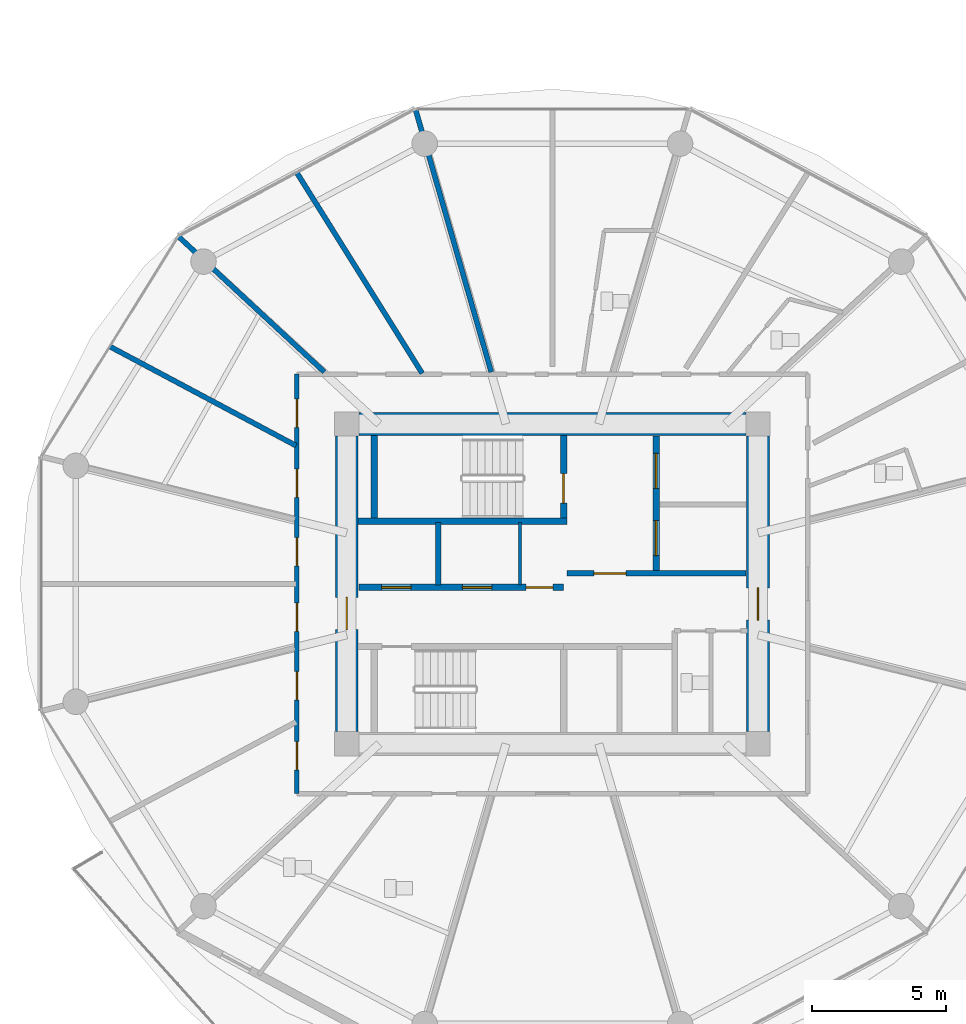
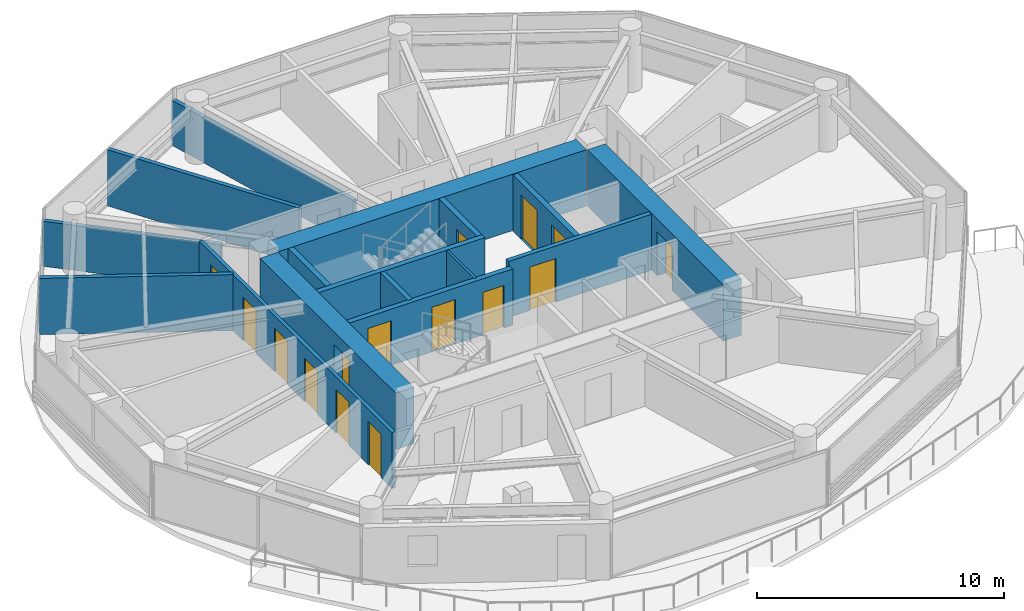
# One storey, part 16 of 27: 16 walls, 15 doors, 15 openings.
"""IFC4 building model written with IfcOpenShell, lengths in metres."""

from ifc_helpers import new_model, si_unit, direction, frame, frame_2d, origin, place, context, subcontext, project, spatial, rectangle, extrude, source, transform, mapped, material, layer, layer_set, type_object, type_shapes, element, fill, save


model = new_model("IFC4")

# Units and contexts
model_context = context("Model", 3, precision=1e-05, world=origin(), true_north=direction((0.0, 1.0)))
body_context = subcontext(model_context, "Body", "Model", "MODEL_VIEW")
ifc_project = project(units=[si_unit("LENGTHUNIT", "METRE"), si_unit("AREAUNIT", "SQUARE_METRE"), si_unit("VOLUMEUNIT", "CUBIC_METRE"), si_unit("PLANEANGLEUNIT", "RADIAN"), si_unit("MASSUNIT", "GRAM", prefix="KILO")], contexts=[model_context])

# Site, building, storey
site_placement = place(None, origin())
site = spatial("IfcSite", under=ifc_project, at=site_placement, CompositionType="ELEMENT")
building_placement = place(site_placement, origin())
building = spatial("IfcBuilding", under=site, at=building_placement, Name="Norrkilde Senior Care Towers", CompositionType="ELEMENT")
storey_placement = place(building_placement, frame((0.0, 0.0, 52.10009765625)))
storey = spatial("IfcBuildingStorey", under=building, at=storey_placement, Name="L15", CompositionType="ELEMENT", Elevation=52.10009765625)

# Wall
ifc_material_1 = material(Name="Concrete C60/75", Category="concrete")
ifc_layer_1 = layer(ifc_material_1, 0.85009765625)
ifc_layer_set_1 = layer_set([ifc_layer_1], Name="Concrete C60/75")
wall_type_1 = type_object("IfcWallType", Name="Core Shear Wall Z1 850", PredefinedType="SHEAR", material=ifc_layer_set_1)
shared_shape_1 = source(origin(), body_context, "Body", "SweptSolid", [
    extrude(rectangle(XDim=14.39990234375, YDim=0.85009765625, at=frame_2d((7.199951171875, 0.0))), origin(), (0.0, 0.0, 1.0), 2.789794921875),
])
wall_1_placement = place(storey_placement, frame((-35.199951171875, 5.949951171875, 0.0), z_axis=(0.0, 0.0, 1.0), x_axis=(1.0, 0.0, 0.0)))
element("IfcWall", 1, at=wall_1_placement, inside=storey, type_object=wall_type_1, Name="L15 Core W North Shear Wall", PredefinedType="SHEAR", context=body_context, shape_type="MappedRepresentation", body=[
    mapped(shared_shape_1, transform((0.0, 0.0, 0.0), x_axis=(1.0, 0.0, 0.0), y_axis=(0.0, 1.0, 0.0), z_axis=(0.0, 0.0, 1.0), scale=1.0)),
])

# Wall, opening, door
shared_shape_2 = source(origin(), body_context, "Body", "SweptSolid", [
    extrude(rectangle(XDim=11.0, YDim=0.85009765625, at=frame_2d((5.5, 0.0))), origin(), (0.0, 0.0, 1.0), 2.789794921875),
])
type_shapes(wall_type_1, [shared_shape_1, shared_shape_2])
wall_2_placement = place(storey_placement, frame((-35.64990234375, -5.5, 0.0), z_axis=(0.0, 0.0, 1.0), x_axis=(0.0, 1.0, 0.0)))
wall_2 = element("IfcWall", 2, at=wall_2_placement, inside=storey, type_object=wall_type_1, Name="L15 Core W West Shear Wall", PredefinedType="SHEAR", context=body_context, shape_type="MappedRepresentation", body=[
    mapped(shared_shape_2, transform((0.0, 0.0, 0.0), x_axis=(1.0, 0.0, 0.0), y_axis=(0.0, 1.0, 0.0), z_axis=(0.0, 0.0, 1.0), scale=1.0)),
])
opening_1_placement = place(wall_2_placement, frame((3.800048828125, 0.0, 0.0)))
opening_1 = element("IfcOpeningElement", 3, at=opening_1_placement, cuts=wall_2, Name="Opening D-04", PredefinedType="OPENING", context=body_context, shape_type="SweptSolid", body=[
    extrude(rectangle(XDim=1.199951171875, YDim=2.14990234375, at=frame_2d((0.60009765625, 1.074951171875))), frame((0.0, 0.43505859375, 0.0), z_axis=(0.0, -1.0, 0.0), x_axis=(1.0, 0.0, 0.0)), (0.0, 0.0, 1.0), 0.8701171875),
])
ifc_material_2 = material(Name="Galvanised Painted Steel", Category="steel")
door_type_1 = type_object("IfcDoorType", Name="Firefighting Lobby Fire Door 1200x2150", OperationType="NOTDEFINED", PredefinedType="DOOR", material=ifc_material_2)
shared_shape_3 = source(origin(), body_context, "Body", "SweptSolid", [
    extrude(rectangle(XDim=1.199951171875, YDim=2.14990234375, at=frame_2d((0.60009765625, 1.074951171875))), frame((0.0, 0.02490234375, 0.0), z_axis=(0.0, -1.0, 0.0), x_axis=(1.0, 0.0, 0.0)), (0.0, 0.0, 1.0), 0.050048828125),
])
type_shapes(door_type_1, [shared_shape_3])
door_1_placement = place(opening_1_placement, frame((1.199951171875, 0.0, 0.0), z_axis=(0.0, 0.0, 1.0), x_axis=(-1.0, 0.0, 0.0)))
door_1 = element("IfcDoor", 4, at=door_1_placement, inside=storey, type_object=door_type_1, Name="L15 Core W West Portal Door", OperationType="SINGLE_SWING_LEFT", OverallHeight=2.14990234375, OverallWidth=1.199951171875, PredefinedType="DOOR", context=body_context, shape_type="MappedRepresentation", body=[
    mapped(shared_shape_3, transform((0.0, 0.0, 0.0), x_axis=(1.0, 0.0, 0.0), y_axis=(0.0, 1.0, 0.0), z_axis=(0.0, 0.0, 1.0), scale=1.0)),
])
fill(opening_1, door_1)

wall_3_placement = place(storey_placement, frame((-20.35009765625, 5.5, 0.0), z_axis=(0.0, 0.0, 1.0), x_axis=(0.0, -1.0, 0.0)))
wall_3 = element("IfcWall", 5, at=wall_3_placement, inside=storey, type_object=wall_type_1, Name="L15 Core W East Shear Wall", PredefinedType="SHEAR", context=body_context, shape_type="MappedRepresentation", body=[
    mapped(shared_shape_2, transform((0.0, 0.0, 0.0), x_axis=(1.0, 0.0, 0.0), y_axis=(0.0, 1.0, 0.0), z_axis=(0.0, 0.0, 1.0), scale=1.0)),
])
opening_2_placement = place(wall_3_placement, frame((5.64990234375, 0.0, 0.0)))
opening_2 = element("IfcOpeningElement", 6, at=opening_2_placement, cuts=wall_3, Name="Opening D-04", PredefinedType="OPENING", context=body_context, shape_type="SweptSolid", body=[
    extrude(rectangle(XDim=1.199951171875, YDim=2.14990234375, at=frame_2d((0.60009765625, 1.074951171875))), frame((0.0, 0.43505859375, 0.0), z_axis=(0.0, -1.0, 0.0), x_axis=(1.0, 0.0, 0.0)), (0.0, 0.0, 1.0), 0.8701171875),
])
door_2_placement = place(opening_2_placement, frame((1.199951171875, 0.0, 0.0), z_axis=(0.0, 0.0, 1.0), x_axis=(-1.0, 0.0, 0.0)))
door_2 = element("IfcDoor", 7, at=door_2_placement, inside=storey, type_object=door_type_1, Name="L15 Core W East Portal Door", OperationType="SINGLE_SWING_RIGHT", OverallHeight=2.14990234375, OverallWidth=1.199951171875, PredefinedType="DOOR", context=body_context, shape_type="MappedRepresentation", body=[
    mapped(shared_shape_3, transform((0.0, 0.0, 0.0), x_axis=(1.0, 0.0, 0.0), y_axis=(0.0, 1.0, 0.0), z_axis=(0.0, 0.0, 1.0), scale=1.0)),
])
fill(opening_2, door_2)

# Walls
ifc_material_3 = material(Name="Concrete C45/55", Category="concrete")
ifc_layer_2 = layer(ifc_material_3, 0.239990234375)
ifc_layer_set_2 = layer_set([ifc_layer_2], Name="Concrete C45/55")
wall_type_2 = type_object("IfcWallType", Name="Shaft and Stair Enclosure Wall 240", PredefinedType="PARTITIONING", material=ifc_layer_set_2)
shared_shape_4 = source(origin(), body_context, "Body", "SweptSolid", [
    extrude(rectangle(XDim=7.76513671875, YDim=0.239990234375, at=frame_2d((3.882568359375, 0.0))), origin(), (0.0, 0.0, 1.0), 2.789794921875),
])
wall_4_placement = place(storey_placement, frame((-35.22509765625, 2.330078125, 0.0), z_axis=(0.0, 0.0, 1.0), x_axis=(1.0, 0.0, 0.0)))
element("IfcWall", 8, at=wall_4_placement, inside=storey, type_object=wall_type_2, Name="WL-INT-L15-W-ST1S", PredefinedType="PARTITIONING", context=body_context, shape_type="MappedRepresentation", body=[
    mapped(shared_shape_4, transform((0.0, 0.0, 0.0), x_axis=(1.0, 0.0, 0.0), y_axis=(0.0, 1.0, 0.0), z_axis=(0.0, 0.0, 1.0), scale=1.0)),
])
shared_shape_5 = source(origin(), body_context, "Body", "SweptSolid", [
    extrude(rectangle(XDim=3.074951171875, YDim=0.239990234375, at=frame_2d((1.53759765625, 0.0))), origin(), (0.0, 0.0, 1.0), 2.789794921875),
])
type_shapes(wall_type_2, [shared_shape_4, shared_shape_5])
wall_5_placement = place(storey_placement, frame((-34.6201171875, 2.449951171875, 0.0), z_axis=(0.0, 0.0, 1.0), x_axis=(0.0, 1.0, 0.0)))
element("IfcWall", 9, at=wall_5_placement, inside=storey, type_object=wall_type_2, Name="WL-INT-L15-W-ST1W", PredefinedType="PARTITIONING", context=body_context, shape_type="MappedRepresentation", body=[
    mapped(shared_shape_5, transform((0.0, 0.0, 0.0), x_axis=(1.0, 0.0, 0.0), y_axis=(0.0, 1.0, 0.0), z_axis=(0.0, 0.0, 1.0), scale=1.0)),
])

# Wall, opening, door
wall_6_placement = place(storey_placement, frame((-27.580078125, 2.449951171875, 0.0), z_axis=(0.0, 0.0, 1.0), x_axis=(0.0, 1.0, 0.0)))
wall_6 = element("IfcWall", 10, at=wall_6_placement, inside=storey, type_object=wall_type_2, Name="WL-INT-L15-W-ST1E", PredefinedType="PARTITIONING", context=body_context, shape_type="MappedRepresentation", body=[
    mapped(shared_shape_5, transform((0.0, 0.0, 0.0), x_axis=(1.0, 0.0, 0.0), y_axis=(0.0, 1.0, 0.0), z_axis=(0.0, 0.0, 1.0), scale=1.0)),
])
opening_3_placement = place(wall_6_placement, frame((0.550048828125, 0.0, 0.0)))
opening_3 = element("IfcOpeningElement", 11, at=opening_3_placement, cuts=wall_6, Name="Opening D-03", PredefinedType="OPENING", context=body_context, shape_type="SweptSolid", body=[
    extrude(rectangle(XDim=1.10009765625, YDim=2.14990234375, at=frame_2d((0.550048828125, 1.074951171875))), frame((0.0, 0.1298828125, 0.0), z_axis=(0.0, -1.0, 0.0), x_axis=(1.0, 0.0, 0.0)), (0.0, 0.0, 1.0), 0.260009765625),
])
door_type_2 = type_object("IfcDoorType", Name="Stairwell Protected Fire Door 1100x2150", OperationType="NOTDEFINED", PredefinedType="DOOR", material=ifc_material_2)
shared_shape_6 = source(origin(), body_context, "Body", "SweptSolid", [
    extrude(rectangle(XDim=1.10009765625, YDim=2.14990234375, at=frame_2d((0.550048828125, 1.074951171875))), frame((0.0, 0.02490234375, 0.0), z_axis=(0.0, -1.0, 0.0), x_axis=(1.0, 0.0, 0.0)), (0.0, 0.0, 1.0), 0.050048828125),
])
type_shapes(door_type_2, [shared_shape_6])
door_3_placement = place(opening_3_placement, origin())
door_3 = element("IfcDoor", 12, at=door_3_placement, inside=storey, type_object=door_type_2, Name="L15 Stair W1 Fire Door", OperationType="SINGLE_SWING_LEFT", OverallHeight=2.14990234375, OverallWidth=1.10009765625, PredefinedType="DOOR", context=body_context, shape_type="MappedRepresentation", body=[
    mapped(shared_shape_6, transform((0.0, 0.0, 0.0), x_axis=(1.0, 0.0, 0.0), y_axis=(0.0, 1.0, 0.0), z_axis=(0.0, 0.0, 1.0), scale=1.0)),
])
fill(opening_3, door_3)

# Wall, openings, doors
ifc_layer_3 = layer(ifc_material_3, 0.239990234375)
ifc_layer_set_3 = layer_set([ifc_layer_3], Name="Concrete C45/55")
wall_type_3 = type_object("IfcWallType", Name="Lift and Plant Rated Enclosure Partition 240", PredefinedType="PARTITIONING", material=ifc_layer_set_3)
shared_shape_7 = source(origin(), body_context, "Body", "SweptSolid", [
    extrude(rectangle(XDim=5.0, YDim=0.239990234375, at=frame_2d((2.5, 0.0))), origin(), (0.0, 0.0, 1.0), 2.77490234375),
])
wall_7_placement = place(storey_placement, frame((-24.139892578125, 0.5, 0.0), z_axis=(0.0, 0.0, 1.0), x_axis=(0.0, 1.0, 0.0)))
wall_7 = element("IfcWall", 13, at=wall_7_placement, inside=storey, type_object=wall_type_3, Name="WL-INT-L15-W-FFLE", PredefinedType="PARTITIONING", context=body_context, shape_type="MappedRepresentation", body=[
    mapped(shared_shape_7, transform((0.0, 0.0, 0.0), x_axis=(1.0, 0.0, 0.0), y_axis=(0.0, 1.0, 0.0), z_axis=(0.0, 0.0, 1.0), scale=1.0)),
])
opening_4_placement = place(wall_7_placement, frame((3.050048828125, 0.0, 0.0)))
opening_4 = element("IfcOpeningElement", 14, at=opening_4_placement, cuts=wall_7, Name="Opening LD-02", PredefinedType="OPENING", context=body_context, shape_type="SweptSolid", body=[
    extrude(rectangle(XDim=1.300048828125, YDim=2.199951171875, at=frame_2d((0.64990234375, 1.10009765625))), frame((0.0, 0.1298828125, 0.0), z_axis=(0.0, -1.0, 0.0), x_axis=(1.0, 0.0, 0.0)), (0.0, 0.0, 1.0), 0.260009765625),
])
opening_5_placement = place(wall_7_placement, frame((0.550048828125, 0.0, 0.0)))
opening_5 = element("IfcOpeningElement", 15, at=opening_5_placement, cuts=wall_7, Name="Opening LD-02", PredefinedType="OPENING", context=body_context, shape_type="SweptSolid", body=[
    extrude(rectangle(XDim=1.300048828125, YDim=2.199951171875, at=frame_2d((0.64990234375, 1.10009765625))), frame((0.0, 0.1298828125, 0.0), z_axis=(0.0, -1.0, 0.0), x_axis=(1.0, 0.0, 0.0)), (0.0, 0.0, 1.0), 0.260009765625),
])
ifc_material_4 = material(Name="Stainless Steel", Category="steel")
door_type_3 = type_object("IfcDoorType", Name="Stretcher and FFL Landing Sliding Door 1300x2200", OperationType="NOTDEFINED", PredefinedType="DOOR", material=ifc_material_4)
shared_shape_8 = source(origin(), body_context, "Body", "SweptSolid", [
    extrude(rectangle(XDim=1.300048828125, YDim=2.199951171875, at=frame_2d((0.64990234375, 1.10009765625))), frame((0.0, 0.02490234375, 0.0), z_axis=(0.0, -1.0, 0.0), x_axis=(1.0, 0.0, 0.0)), (0.0, 0.0, 1.0), 0.050048828125),
])
type_shapes(door_type_3, [shared_shape_8])
door_4_placement = place(opening_4_placement, origin())
door_4 = element("IfcDoor", 16, at=door_4_placement, inside=storey, type_object=door_type_3, Name="L15 Firefighting Lift W1 Landing Door", OperationType="SLIDING_TO_LEFT", OverallHeight=2.199951171875, OverallWidth=1.300048828125, PredefinedType="DOOR", context=body_context, shape_type="MappedRepresentation", body=[
    mapped(shared_shape_8, transform((0.0, 0.0, 0.0), x_axis=(1.0, 0.0, 0.0), y_axis=(0.0, 1.0, 0.0), z_axis=(0.0, 0.0, 1.0), scale=1.0)),
])
fill(opening_4, door_4)
door_5_placement = place(opening_5_placement, origin())
door_5 = element("IfcDoor", 17, at=door_5_placement, inside=storey, type_object=door_type_3, Name="L15 Stretcher Lift W1 Landing Door", OperationType="SLIDING_TO_RIGHT", OverallHeight=2.199951171875, OverallWidth=1.300048828125, PredefinedType="DOOR", context=body_context, shape_type="MappedRepresentation", body=[
    mapped(shared_shape_8, transform((0.0, 0.0, 0.0), x_axis=(1.0, 0.0, 0.0), y_axis=(0.0, 1.0, 0.0), z_axis=(0.0, 0.0, 1.0), scale=1.0)),
])
fill(opening_5, door_5)

# Wall, opening, door
ifc_layer_4 = layer(ifc_material_3, 0.2099609375)
ifc_layer_set_4 = layer_set([ifc_layer_4], Name="Concrete C45/55")
wall_type_4 = type_object("IfcWallType", Name="Firefighting Lobby Wall 210", PredefinedType="PARTITIONING", material=ifc_layer_set_4)
shared_shape_9 = source(origin(), body_context, "Body", "SweptSolid", [
    extrude(rectangle(XDim=6.659912109375, YDim=0.2099609375, at=frame_2d((3.330078125, 0.0))), origin(), (0.0, 0.0, 1.0), 2.77490234375),
])
type_shapes(wall_type_4, [shared_shape_9])
wall_8_placement = place(storey_placement, frame((-27.4599609375, 0.389892578125, 0.0), z_axis=(0.0, 0.0, 1.0), x_axis=(1.0, 0.0, 0.0)))
wall_8 = element("IfcWall", 18, at=wall_8_placement, inside=storey, type_object=wall_type_4, Name="WL-INT-L15-W-FFLS", PredefinedType="PARTITIONING", context=body_context, shape_type="MappedRepresentation", body=[
    mapped(shared_shape_9, transform((0.0, 0.0, 0.0), x_axis=(1.0, 0.0, 0.0), y_axis=(0.0, 1.0, 0.0), z_axis=(0.0, 0.0, 1.0), scale=1.0)),
])
opening_6_placement = place(wall_8_placement, frame((1.0, 0.0, 0.0)))
opening_6 = element("IfcOpeningElement", 19, at=opening_6_placement, cuts=wall_8, Name="Opening D-04", PredefinedType="OPENING", context=body_context, shape_type="SweptSolid", body=[
    extrude(rectangle(XDim=1.199951171875, YDim=2.14990234375, at=frame_2d((0.60009765625, 1.074951171875))), frame((0.0, 0.114990234375, 0.0), z_axis=(0.0, -1.0, 0.0), x_axis=(1.0, 0.0, 0.0)), (0.0, 0.0, 1.0), 0.22998046875),
])
door_6_placement = place(opening_6_placement, frame((1.199951171875, 0.0, 0.0), z_axis=(0.0, 0.0, 1.0), x_axis=(-1.0, 0.0, 0.0)))
door_6 = element("IfcDoor", 20, at=door_6_placement, inside=storey, type_object=door_type_1, Name="L15 Firefighting Lobby W Door", OperationType="SINGLE_SWING_LEFT", OverallHeight=2.14990234375, OverallWidth=1.199951171875, PredefinedType="DOOR", context=body_context, shape_type="MappedRepresentation", body=[
    mapped(shared_shape_3, transform((0.0, 0.0, 0.0), x_axis=(1.0, 0.0, 0.0), y_axis=(0.0, 1.0, 0.0), z_axis=(0.0, 0.0, 1.0), scale=1.0)),
])
fill(opening_6, door_6)

# Wall, openings, doors
shared_shape_10 = source(origin(), body_context, "Body", "SweptSolid", [
    extrude(rectangle(XDim=7.619873046875, YDim=0.239990234375, at=frame_2d((3.81005859375, 0.0))), origin(), (0.0, 0.0, 1.0), 2.77490234375),
])
type_shapes(wall_type_3, [shared_shape_7, shared_shape_10])
wall_9_placement = place(storey_placement, frame((-35.199951171875, -0.1298828125, 0.0), z_axis=(0.0, 0.0, 1.0), x_axis=(1.0, 0.0, 0.0)))
wall_9 = element("IfcWall", 21, at=wall_9_placement, inside=storey, type_object=wall_type_3, Name="WL-INT-L15-W-PKAS", PredefinedType="PARTITIONING", context=body_context, shape_type="MappedRepresentation", body=[
    mapped(shared_shape_10, transform((0.0, 0.0, 0.0), x_axis=(1.0, 0.0, 0.0), y_axis=(0.0, 1.0, 0.0), z_axis=(0.0, 0.0, 1.0), scale=1.0)),
])
opening_7_placement = place(wall_9_placement, frame((6.219970703125, 0.0, 0.0)))
opening_7 = element("IfcOpeningElement", 22, at=opening_7_placement, cuts=wall_9, Name="Opening D-10", PredefinedType="OPENING", context=body_context, shape_type="SweptSolid", body=[
    extrude(rectangle(XDim=1.0, YDim=2.10009765625, at=frame_2d((0.5, 1.050048828125))), frame((0.0, 0.1298828125, 0.0), z_axis=(0.0, -1.0, 0.0), x_axis=(1.0, 0.0, 0.0)), (0.0, 0.0, 1.0), 0.260009765625),
])
opening_8_placement = place(wall_9_placement, frame((0.85009765625, 0.0, 0.0)))
opening_8 = element("IfcOpeningElement", 23, at=opening_8_placement, cuts=wall_9, Name="Opening LD-01", PredefinedType="OPENING", context=body_context, shape_type="SweptSolid", body=[
    extrude(rectangle(XDim=1.10009765625, YDim=2.199951171875, at=frame_2d((0.550048828125, 1.10009765625))), frame((0.0, 0.1298828125, 0.0), z_axis=(0.0, -1.0, 0.0), x_axis=(1.0, 0.0, 0.0)), (0.0, 0.0, 1.0), 0.260009765625),
])
opening_9_placement = place(wall_9_placement, frame((3.85009765625, 0.0, 0.0)))
opening_9 = element("IfcOpeningElement", 24, at=opening_9_placement, cuts=wall_9, Name="Opening LD-01", PredefinedType="OPENING", context=body_context, shape_type="SweptSolid", body=[
    extrude(rectangle(XDim=1.10009765625, YDim=2.199951171875, at=frame_2d((0.550048828125, 1.10009765625))), frame((0.0, 0.1298828125, 0.0), z_axis=(0.0, -1.0, 0.0), x_axis=(1.0, 0.0, 0.0)), (0.0, 0.0, 1.0), 0.260009765625),
])
door_type_4 = type_object("IfcDoorType", Name="Plant and Riser Rated Door 1000x2100", OperationType="NOTDEFINED", PredefinedType="DOOR", material=ifc_material_2)
shared_shape_11 = source(origin(), body_context, "Body", "SweptSolid", [
    extrude(rectangle(XDim=1.0, YDim=2.10009765625, at=frame_2d((0.5, 1.050048828125))), frame((0.0, 0.02490234375, 0.0), z_axis=(0.0, -1.0, 0.0), x_axis=(1.0, 0.0, 0.0)), (0.0, 0.0, 1.0), 0.050048828125),
])
type_shapes(door_type_4, [shared_shape_11])
door_7_placement = place(opening_7_placement, frame((1.0, 0.0, 0.0), z_axis=(0.0, 0.0, 1.0), x_axis=(-1.0, 0.0, 0.0)))
door_7 = element("IfcDoor", 25, at=door_7_placement, inside=storey, type_object=door_type_4, Name="L15 Electrical Riser W Door", OperationType="SINGLE_SWING_LEFT", OverallHeight=2.10009765625, OverallWidth=1.0, PredefinedType="DOOR", context=body_context, shape_type="MappedRepresentation", body=[
    mapped(shared_shape_11, transform((0.0, 0.0, 0.0), x_axis=(1.0, 0.0, 0.0), y_axis=(0.0, 1.0, 0.0), z_axis=(0.0, 0.0, 1.0), scale=1.0)),
])
fill(opening_7, door_7)
door_type_5 = type_object("IfcDoorType", Name="Lift Landing Sliding Door 1100x2200", OperationType="NOTDEFINED", PredefinedType="DOOR", material=ifc_material_4)
shared_shape_12 = source(origin(), body_context, "Body", "SweptSolid", [
    extrude(rectangle(XDim=1.10009765625, YDim=2.199951171875, at=frame_2d((0.550048828125, 1.10009765625))), frame((0.0, 0.02490234375, 0.0), z_axis=(0.0, -1.0, 0.0), x_axis=(1.0, 0.0, 0.0)), (0.0, 0.0, 1.0), 0.050048828125),
])
type_shapes(door_type_5, [shared_shape_12])
door_8_placement = place(opening_8_placement, origin())
door_8 = element("IfcDoor", 26, at=door_8_placement, inside=storey, type_object=door_type_5, Name="L15 Passenger Lift W1 Landing Door", OperationType="SLIDING_TO_LEFT", OverallHeight=2.199951171875, OverallWidth=1.10009765625, PredefinedType="DOOR", context=body_context, shape_type="MappedRepresentation", body=[
    mapped(shared_shape_12, transform((0.0, 0.0, 0.0), x_axis=(1.0, 0.0, 0.0), y_axis=(0.0, 1.0, 0.0), z_axis=(0.0, 0.0, 1.0), scale=1.0)),
])
fill(opening_8, door_8)
door_9_placement = place(opening_9_placement, origin())
door_9 = element("IfcDoor", 27, at=door_9_placement, inside=storey, type_object=door_type_5, Name="L15 Passenger Lift W2 Landing Door", OperationType="SLIDING_TO_RIGHT", OverallHeight=2.199951171875, OverallWidth=1.10009765625, PredefinedType="DOOR", context=body_context, shape_type="MappedRepresentation", body=[
    mapped(shared_shape_12, transform((0.0, 0.0, 0.0), x_axis=(1.0, 0.0, 0.0), y_axis=(0.0, 1.0, 0.0), z_axis=(0.0, 0.0, 1.0), scale=1.0)),
])
fill(opening_9, door_9)

# Walls
ifc_material_5 = material(Name="Gypsum Acoustic Board")
ifc_layer_5 = layer(ifc_material_5, 0.114990234375)
ifc_layer_set_5 = layer_set([ifc_layer_5], Name="Gypsum Acoustic Board")
wall_type_5 = type_object("IfcWallType", Name="Internal Room Partition 115", PredefinedType="PARTITIONING", material=ifc_layer_set_5)
shared_shape_13 = source(origin(), body_context, "Body", "SweptSolid", [
    extrude(rectangle(XDim=2.330078125, YDim=0.114990234375, at=frame_2d((1.1650390625, 0.0))), origin(), (0.0, 0.0, 1.0), 2.77490234375),
])
type_shapes(wall_type_5, [shared_shape_13])
wall_10_placement = place(storey_placement, frame((-29.2099609375, -0.050048828125, 0.0), z_axis=(0.0, 0.0, 1.0), x_axis=(0.0, 1.0, 0.0)))
element("IfcWall", 28, at=wall_10_placement, inside=storey, type_object=wall_type_5, Name="WL-INT-L15-W-RISW", PredefinedType="PARTITIONING", context=body_context, shape_type="MappedRepresentation", body=[
    mapped(shared_shape_13, transform((0.0, 0.0, 0.0), x_axis=(1.0, 0.0, 0.0), y_axis=(0.0, 1.0, 0.0), z_axis=(0.0, 0.0, 1.0), scale=1.0)),
])
ifc_layer_6 = layer(ifc_material_3, 0.199951171875)
ifc_layer_set_6 = layer_set([ifc_layer_6], Name="Concrete C45/55")
wall_type_6 = type_object("IfcWallType", Name="Shaft Division and Plant Partition 200", PredefinedType="PARTITIONING", material=ifc_layer_set_6)
shared_shape_14 = source(origin(), body_context, "Body", "SweptSolid", [
    extrude(rectangle(XDim=2.330078125, YDim=0.199951171875, at=frame_2d((1.1650390625, 0.0))), origin(), (0.0, 0.0, 1.0), 2.77490234375),
])
type_shapes(wall_type_6, [shared_shape_14])
wall_11_placement = place(storey_placement, frame((-32.25, -0.050048828125, 0.0), z_axis=(0.0, 0.0, 1.0), x_axis=(0.0, 1.0, 0.0)))
element("IfcWall", 29, at=wall_11_placement, inside=storey, type_object=wall_type_6, Name="WL-INT-L15-W-PL12", PredefinedType="PARTITIONING", context=body_context, shape_type="MappedRepresentation", body=[
    mapped(shared_shape_14, transform((0.0, 0.0, 0.0), x_axis=(1.0, 0.0, 0.0), y_axis=(0.0, 1.0, 0.0), z_axis=(0.0, 0.0, 1.0), scale=1.0)),
])

# Wall, openings, doors
ifc_layer_7 = layer(ifc_material_5, 0.1650390625)
ifc_layer_set_7 = layer_set([ifc_layer_7], Name="Gypsum Acoustic Board")
wall_type_7 = type_object("IfcWallType", Name="Corridor Rated Partition 165", PredefinedType="PARTITIONING", material=ifc_layer_set_7)
shared_shape_15 = source(origin(), body_context, "Body", "SweptSolid", [
    extrude(rectangle(XDim=15.60009765625, YDim=0.1650390625, at=frame_2d((7.800048828125, 0.0))), origin(), (0.0, 0.0, 1.0), 2.77490234375),
])
type_shapes(wall_type_7, [shared_shape_15])
wall_12_placement = place(storey_placement, frame((-37.5, -7.800048828125, 0.0), z_axis=(0.0, 0.0, 1.0), x_axis=(0.0, 1.0, 0.0)))
wall_12 = element("IfcWall", 30, at=wall_12_placement, inside=storey, type_object=wall_type_7, Name="WL-INT-L15-W-CRW-W-0", PredefinedType="PARTITIONING", context=body_context, shape_type="MappedRepresentation", body=[
    mapped(shared_shape_15, transform((0.0, 0.0, 0.0), x_axis=(1.0, 0.0, 0.0), y_axis=(0.0, 1.0, 0.0), z_axis=(0.0, 0.0, 1.0), scale=1.0)),
])
opening_10_placement = place(wall_12_placement, frame((13.623046875, 0.0, 0.0)))
opening_10 = element("IfcOpeningElement", 31, at=opening_10_placement, cuts=wall_12, Name="Opening D-06", PredefinedType="OPENING", context=body_context, shape_type="SweptSolid", body=[
    extrude(rectangle(XDim=1.050048828125, YDim=2.14990234375, at=frame_2d((0.52490234375, 1.074951171875))), frame((0.0, 0.092529296875, 0.0), z_axis=(0.0, -1.0, 0.0), x_axis=(1.0, 0.0, 0.0)), (0.0, 0.0, 1.0), 0.18505859375),
])
opening_11_placement = place(wall_12_placement, frame((11.017578125, 0.0, 0.0)))
opening_11 = element("IfcOpeningElement", 32, at=opening_11_placement, cuts=wall_12, Name="Opening D-06", PredefinedType="OPENING", context=body_context, shape_type="SweptSolid", body=[
    extrude(rectangle(XDim=1.050048828125, YDim=2.14990234375, at=frame_2d((0.52490234375, 1.074951171875))), frame((0.0, 0.092529296875, 0.0), z_axis=(0.0, -1.0, 0.0), x_axis=(1.0, 0.0, 0.0)), (0.0, 0.0, 1.0), 0.18505859375),
])
opening_12_placement = place(wall_12_placement, frame((8.467041015625, 0.0, 0.0)))
opening_12 = element("IfcOpeningElement", 33, at=opening_12_placement, cuts=wall_12, Name="Opening D-06", PredefinedType="OPENING", context=body_context, shape_type="SweptSolid", body=[
    extrude(rectangle(XDim=1.050048828125, YDim=2.14990234375, at=frame_2d((0.52490234375, 1.074951171875))), frame((0.0, 0.092529296875, 0.0), z_axis=(0.0, -1.0, 0.0), x_axis=(1.0, 0.0, 0.0)), (0.0, 0.0, 1.0), 0.18505859375),
])
opening_13_placement = place(wall_12_placement, frame((6.03466796875, 0.0, 0.0)))
opening_13 = element("IfcOpeningElement", 34, at=opening_13_placement, cuts=wall_12, Name="Opening D-06", PredefinedType="OPENING", context=body_context, shape_type="SweptSolid", body=[
    extrude(rectangle(XDim=1.050048828125, YDim=2.14990234375, at=frame_2d((0.52490234375, 1.074951171875))), frame((0.0, 0.092529296875, 0.0), z_axis=(0.0, -1.0, 0.0), x_axis=(1.0, 0.0, 0.0)), (0.0, 0.0, 1.0), 0.18505859375),
])
opening_14_placement = place(wall_12_placement, frame((3.489013671875, 0.0, 0.0)))
opening_14 = element("IfcOpeningElement", 35, at=opening_14_placement, cuts=wall_12, Name="Opening D-06", PredefinedType="OPENING", context=body_context, shape_type="SweptSolid", body=[
    extrude(rectangle(XDim=1.050048828125, YDim=2.14990234375, at=frame_2d((0.52490234375, 1.074951171875))), frame((0.0, 0.092529296875, 0.0), z_axis=(0.0, -1.0, 0.0), x_axis=(1.0, 0.0, 0.0)), (0.0, 0.0, 1.0), 0.18505859375),
])
opening_15_placement = place(wall_12_placement, frame((0.881591796875, 0.0, 0.0)))
opening_15 = element("IfcOpeningElement", 36, at=opening_15_placement, cuts=wall_12, Name="Opening D-06", PredefinedType="OPENING", context=body_context, shape_type="SweptSolid", body=[
    extrude(rectangle(XDim=1.050048828125, YDim=2.14990234375, at=frame_2d((0.52490234375, 1.074951171875))), frame((0.0, 0.092529296875, 0.0), z_axis=(0.0, -1.0, 0.0), x_axis=(1.0, 0.0, 0.0)), (0.0, 0.0, 1.0), 0.18505859375),
])
ifc_material_6 = material(Name="Nordic Ash Timber", Category="wood")
door_type_6 = type_object("IfcDoorType", Name="Apartment Entrance Fire Door 1050x2150", OperationType="NOTDEFINED", PredefinedType="DOOR", material=ifc_material_6)
shared_shape_16 = source(origin(), body_context, "Body", "SweptSolid", [
    extrude(rectangle(XDim=1.050048828125, YDim=2.14990234375, at=frame_2d((0.52490234375, 1.074951171875))), frame((0.0, 0.02490234375, 0.0), z_axis=(0.0, -1.0, 0.0), x_axis=(1.0, 0.0, 0.0)), (0.0, 0.0, 1.0), 0.050048828125),
])
type_shapes(door_type_6, [shared_shape_16])
door_10_placement = place(opening_10_placement, frame((1.050048828125, 0.0, 0.0), z_axis=(0.0, 0.0, 1.0), x_axis=(-1.0, 0.0, 0.0)))
door_10 = element("IfcDoor", 37, at=door_10_placement, inside=storey, type_object=door_type_6, Name="L15 Physiotherapy Clinic 4A Door", OperationType="SINGLE_SWING_LEFT", OverallHeight=2.14990234375, OverallWidth=1.050048828125, PredefinedType="DOOR", context=body_context, shape_type="MappedRepresentation", body=[
    mapped(shared_shape_16, transform((0.0, 0.0, 0.0), x_axis=(1.0, 0.0, 0.0), y_axis=(0.0, 1.0, 0.0), z_axis=(0.0, 0.0, 1.0), scale=1.0)),
])
fill(opening_10, door_10)
door_11_placement = place(opening_11_placement, frame((1.050048828125, 0.0, 0.0), z_axis=(0.0, 0.0, 1.0), x_axis=(-1.0, 0.0, 0.0)))
door_11 = element("IfcDoor", 38, at=door_11_placement, inside=storey, type_object=door_type_6, Name="L15 Assessment Clinic 4B Door", OperationType="SINGLE_SWING_RIGHT", OverallHeight=2.14990234375, OverallWidth=1.050048828125, PredefinedType="DOOR", context=body_context, shape_type="MappedRepresentation", body=[
    mapped(shared_shape_16, transform((0.0, 0.0, 0.0), x_axis=(1.0, 0.0, 0.0), y_axis=(0.0, 1.0, 0.0), z_axis=(0.0, 0.0, 1.0), scale=1.0)),
])
fill(opening_11, door_11)
door_12_placement = place(opening_12_placement, frame((1.050048828125, 0.0, 0.0), z_axis=(0.0, 0.0, 1.0), x_axis=(-1.0, 0.0, 0.0)))
door_12 = element("IfcDoor", 39, at=door_12_placement, inside=storey, type_object=door_type_6, Name="L15 Physiotherapy Clinic 5A Door", OperationType="SINGLE_SWING_RIGHT", OverallHeight=2.14990234375, OverallWidth=1.050048828125, PredefinedType="DOOR", context=body_context, shape_type="MappedRepresentation", body=[
    mapped(shared_shape_16, transform((0.0, 0.0, 0.0), x_axis=(1.0, 0.0, 0.0), y_axis=(0.0, 1.0, 0.0), z_axis=(0.0, 0.0, 1.0), scale=1.0)),
])
fill(opening_12, door_12)
door_13_placement = place(opening_13_placement, frame((1.050048828125, 0.0, 0.0), z_axis=(0.0, 0.0, 1.0), x_axis=(-1.0, 0.0, 0.0)))
door_13 = element("IfcDoor", 40, at=door_13_placement, inside=storey, type_object=door_type_6, Name="L15 Assessment Clinic 5B Door", OperationType="SINGLE_SWING_LEFT", OverallHeight=2.14990234375, OverallWidth=1.050048828125, PredefinedType="DOOR", context=body_context, shape_type="MappedRepresentation", body=[
    mapped(shared_shape_16, transform((0.0, 0.0, 0.0), x_axis=(1.0, 0.0, 0.0), y_axis=(0.0, 1.0, 0.0), z_axis=(0.0, 0.0, 1.0), scale=1.0)),
])
fill(opening_13, door_13)
door_14_placement = place(opening_14_placement, frame((1.050048828125, 0.0, 0.0), z_axis=(0.0, 0.0, 1.0), x_axis=(-1.0, 0.0, 0.0)))
door_14 = element("IfcDoor", 41, at=door_14_placement, inside=storey, type_object=door_type_6, Name="L15 Physiotherapy Clinic 6A Door", OperationType="SINGLE_SWING_LEFT", OverallHeight=2.14990234375, OverallWidth=1.050048828125, PredefinedType="DOOR", context=body_context, shape_type="MappedRepresentation", body=[
    mapped(shared_shape_16, transform((0.0, 0.0, 0.0), x_axis=(1.0, 0.0, 0.0), y_axis=(0.0, 1.0, 0.0), z_axis=(0.0, 0.0, 1.0), scale=1.0)),
])
fill(opening_14, door_14)
door_15_placement = place(opening_15_placement, frame((1.050048828125, 0.0, 0.0), z_axis=(0.0, 0.0, 1.0), x_axis=(-1.0, 0.0, 0.0)))
door_15 = element("IfcDoor", 42, at=door_15_placement, inside=storey, type_object=door_type_6, Name="L15 Assessment Clinic 6B Door", OperationType="SINGLE_SWING_RIGHT", OverallHeight=2.14990234375, OverallWidth=1.050048828125, PredefinedType="DOOR", context=body_context, shape_type="MappedRepresentation", body=[
    mapped(shared_shape_16, transform((0.0, 0.0, 0.0), x_axis=(1.0, 0.0, 0.0), y_axis=(0.0, 1.0, 0.0), z_axis=(0.0, 0.0, 1.0), scale=1.0)),
])
fill(opening_15, door_15)

# Walls
ifc_layer_8 = layer(ifc_material_5, 0.18994140625)
ifc_layer_set_8 = layer_set([ifc_layer_8], Name="Gypsum Acoustic Board")
wall_type_8 = type_object("IfcWallType", Name="Unit Demising Acoustic Wall 190", PredefinedType="PARTITIONING", material=ifc_layer_set_8)
shared_shape_17 = source(origin(), body_context, "Body", "SweptSolid", [
    extrude(rectangle(XDim=7.4345703125, YDim=0.18994140625, at=frame_2d((3.71728515625, 0.0))), origin(), (0.0, 0.0, 1.0), 2.224853515625),
])
wall_13_placement = place(storey_placement, frame((-36.48291015625, 7.8798828125, 0.0), z_axis=(0.0, 0.0, 1.0), x_axis=(-0.732651956848, 0.680603489652, 0.0)))
element("IfcWall", 43, at=wall_13_placement, inside=storey, type_object=wall_type_8, Name="WL-INT-L15-W-DEM-04-0", PredefinedType="PARTITIONING", context=body_context, shape_type="MappedRepresentation", body=[
    mapped(shared_shape_17, transform((0.0, 0.0, 0.0), x_axis=(1.0, 0.0, 0.0), y_axis=(0.0, 1.0, 0.0), z_axis=(0.0, 0.0, 1.0), scale=1.0)),
])
shared_shape_18 = source(origin(), body_context, "Body", "SweptSolid", [
    extrude(rectangle(XDim=10.196044921875, YDim=0.18994140625, at=frame_2d((5.09814453125, 0.0))), origin(), (0.0, 0.0, 1.0), 2.224853515625),
])
wall_14_placement = place(storey_placement, frame((-30.27294921875, 7.8798828125, 0.0), z_axis=(0.0, 0.0, 1.0), x_axis=(-0.277136420347, 0.960830580549, 0.0)))
element("IfcWall", 44, at=wall_14_placement, inside=storey, type_object=wall_type_8, Name="WL-INT-L15-W-DEM-03-0", PredefinedType="PARTITIONING", context=body_context, shape_type="MappedRepresentation", body=[
    mapped(shared_shape_18, transform((0.0, 0.0, 0.0), x_axis=(1.0, 0.0, 0.0), y_axis=(0.0, 1.0, 0.0), z_axis=(0.0, 0.0, 1.0), scale=1.0)),
])
shared_shape_19 = source(origin(), body_context, "Body", "SweptSolid", [
    extrude(rectangle(XDim=7.873291015625, YDim=0.18994140625, at=frame_2d((3.9365234375, 0.0))), origin(), (0.0, 0.0, 1.0), 2.77490234375),
])
wall_15_placement = place(storey_placement, frame((-37.530029296875, 5.1376953125, 0.0), z_axis=(0.0, 0.0, 1.0), x_axis=(-0.882666052726, 0.470000680175, 0.0)))
element("IfcWall", 45, at=wall_15_placement, inside=storey, type_object=wall_type_8, Name="WL-INT-L15-W-MID-04", PredefinedType="PARTITIONING", context=body_context, shape_type="MappedRepresentation", body=[
    mapped(shared_shape_19, transform((0.0, 0.0, 0.0), x_axis=(1.0, 0.0, 0.0), y_axis=(0.0, 1.0, 0.0), z_axis=(0.0, 0.0, 1.0), scale=1.0)),
])
shared_shape_20 = source(origin(), body_context, "Body", "SweptSolid", [
    extrude(rectangle(XDim=8.818359375, YDim=0.18994140625, at=frame_2d((4.4091796875, 0.0))), origin(), (0.0, 0.0, 1.0), 2.77490234375),
])
type_shapes(wall_type_8, [shared_shape_17, shared_shape_18, shared_shape_19, shared_shape_20])
wall_16_placement = place(storey_placement, frame((-32.84130859375, 7.830078125, 0.0), z_axis=(0.0, 0.0, 1.0), x_axis=(-0.529931746109, 0.848040296487, 0.0)))
element("IfcWall", 46, at=wall_16_placement, inside=storey, type_object=wall_type_8, Name="WL-INT-L15-W-MID-03", PredefinedType="PARTITIONING", context=body_context, shape_type="MappedRepresentation", body=[
    mapped(shared_shape_20, transform((0.0, 0.0, 0.0), x_axis=(1.0, 0.0, 0.0), y_axis=(0.0, 1.0, 0.0), z_axis=(0.0, 0.0, 1.0), scale=1.0)),
])

save(model, "model.ifc")
